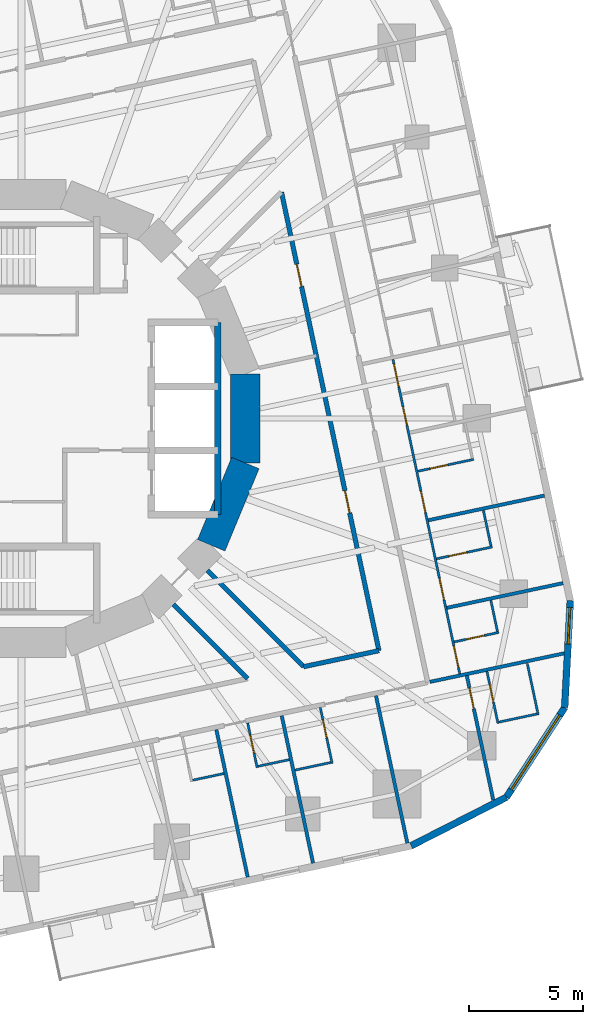
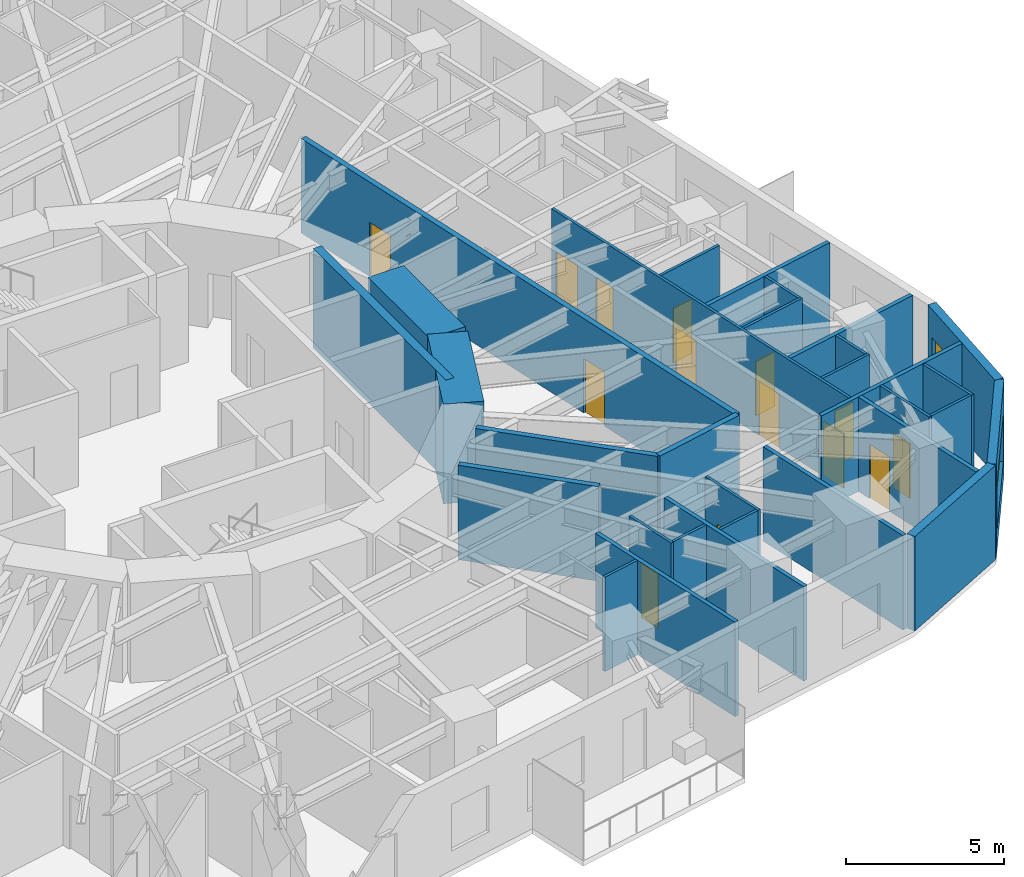
# One storey, part 8 of 14: 31 walls, 14 doors, 2 windows, 16 openings.
"""IFC4 building model written with IfcOpenShell, lengths in metres."""

from ifc_helpers import new_model, si_unit, direction, frame, frame_2d, origin, place, context, subcontext, project, spatial, rectangle, extrude, material, layer, layer_set, type_object, element, fill, save


model = new_model("IFC4")

# Units and contexts
model_context = context("Model", 3, precision=1e-05, world=origin(), true_north=direction((0.0, 1.0)))
body_context = subcontext(model_context, "Body", "Model", "MODEL_VIEW")
ifc_project = project(units=[si_unit("LENGTHUNIT", "METRE"), si_unit("AREAUNIT", "SQUARE_METRE"), si_unit("VOLUMEUNIT", "CUBIC_METRE"), si_unit("PLANEANGLEUNIT", "RADIAN"), si_unit("MASSUNIT", "GRAM", prefix="KILO")], contexts=[model_context])

# Site, building, storey
site_placement = place(None, origin())
site = spatial("IfcSite", under=ifc_project, at=site_placement, CompositionType="ELEMENT")
building_placement = place(site_placement, origin())
building = spatial("IfcBuilding", under=site, at=building_placement, Name="Nakasero Lantern House", CompositionType="ELEMENT")
storey_placement = place(building_placement, frame((0.0, 0.0, 128.10009765625)))
storey = spatial("IfcBuildingStorey", under=building, at=storey_placement, Name="L31", CompositionType="ELEMENT", Elevation=128.10009765625)

# Wall, openings, doors
ifc_material_1 = material(Name="Blockwork", Category="masonry")
ifc_layer_1 = layer(ifc_material_1, 0.10009765625)
ifc_layer_set_1 = layer_set([ifc_layer_1], Name="Cluster hall wall 100")
wall_type_1 = type_object("IfcWallType", Name="Cluster hall wall 100", PredefinedType="PARTITIONING", material=ifc_layer_set_1)
wall_1_placement = place(storey_placement, frame((19.193603515625, -11.1787109375, 0.0), z_axis=(0.0, 0.0, 1.0), x_axis=(-0.207904606415, 0.978149106543, 0.0)))
wall_1 = element("IfcWall", 1, at=wall_1_placement, inside=storey, type_object=wall_type_1, Name="Cluster hall wall L31 HW0-0", PredefinedType="PARTITIONING", context=body_context, shape_type="SweptSolid", body=[
    extrude(rectangle(XDim=14.073974609375, YDim=0.10009765625, at=frame_2d((7.037109375, 0.0))), origin(), (0.0, 0.0, 1.0), 3.64990234375),
])
opening_1_placement = place(wall_1_placement, frame((12.848876953125, 0.0, 0.0)))
opening_1 = element("IfcOpeningElement", 2, at=opening_1_placement, cuts=wall_1, Name="Opening D03", PredefinedType="OPENING", context=body_context, shape_type="SweptSolid", body=[
    extrude(rectangle(XDim=1.0, YDim=2.10009765625, at=frame_2d((0.5, 1.050048828125))), frame((0.0, 0.070068359375, 0.0), z_axis=(0.0, -1.0, 0.0), x_axis=(1.0, 0.0, 0.0)), (0.0, 0.0, 1.0), 0.14013671875),
])
opening_2_placement = place(wall_1_placement, frame((11.155029296875, 0.0, 0.0)))
opening_2 = element("IfcOpeningElement", 3, at=opening_2_placement, cuts=wall_1, Name="Opening D02", PredefinedType="OPENING", context=body_context, shape_type="SweptSolid", body=[
    extrude(rectangle(XDim=0.800048828125, YDim=2.10009765625, at=frame_2d((0.39990234375, 1.050048828125))), frame((0.0, 0.070068359375, 0.0), z_axis=(0.0, -1.0, 0.0), x_axis=(1.0, 0.0, 0.0)), (0.0, 0.0, 1.0), 0.14013671875),
])
opening_3_placement = place(wall_1_placement, frame((0.300048828125, 0.0, 0.0)))
opening_3 = element("IfcOpeningElement", 4, at=opening_3_placement, cuts=wall_1, Name="Opening D01", PredefinedType="OPENING", context=body_context, shape_type="SweptSolid", body=[
    extrude(rectangle(XDim=0.949951171875, YDim=2.10009765625, at=frame_2d((0.47509765625, 1.050048828125))), frame((0.0, 0.070068359375, 0.0), z_axis=(0.0, -1.0, 0.0), x_axis=(1.0, 0.0, 0.0)), (0.0, 0.0, 1.0), 0.14013671875),
])
opening_4_placement = place(wall_1_placement, frame((3.316162109375, 0.0, 0.0)))
opening_4 = element("IfcOpeningElement", 5, at=opening_4_placement, cuts=wall_1, Name="Opening D01", PredefinedType="OPENING", context=body_context, shape_type="SweptSolid", body=[
    extrude(rectangle(XDim=0.949951171875, YDim=2.10009765625, at=frame_2d((0.47509765625, 1.050048828125))), frame((0.0, 0.070068359375, 0.0), z_axis=(0.0, -1.0, 0.0), x_axis=(1.0, 0.0, 0.0)), (0.0, 0.0, 1.0), 0.14013671875),
])
opening_5_placement = place(wall_1_placement, frame((7.235595703125, 0.0, 0.0)))
opening_5 = element("IfcOpeningElement", 6, at=opening_5_placement, cuts=wall_1, Name="Opening D01", PredefinedType="OPENING", context=body_context, shape_type="SweptSolid", body=[
    extrude(rectangle(XDim=0.949951171875, YDim=2.10009765625, at=frame_2d((0.47509765625, 1.050048828125))), frame((0.0, 0.070068359375, 0.0), z_axis=(0.0, -1.0, 0.0), x_axis=(1.0, 0.0, 0.0)), (0.0, 0.0, 1.0), 0.14013671875),
])
ifc_material_2 = material(Name="Timber C24", Category="wood")
door_type_1 = type_object("IfcDoorType", Name="Bedroom door FD30S 950", OperationType="SINGLE_SWING_LEFT", PredefinedType="DOOR", material=ifc_material_2)
door_1_placement = place(opening_3_placement, origin())
door_1 = element("IfcDoor", 7, at=door_1_placement, inside=storey, type_object=door_type_1, Name="Door L31 D0-00", OperationType="SINGLE_SWING_LEFT", OverallHeight=2.10009765625, OverallWidth=0.949951171875, PredefinedType="DOOR", context=body_context, shape_type="SweptSolid", body=[
    extrude(rectangle(XDim=0.949951171875, YDim=2.10009765625, at=frame_2d((0.47509765625, 1.050048828125))), frame((0.0, 0.02490234375, 0.0), z_axis=(0.0, -1.0, 0.0), x_axis=(1.0, 0.0, 0.0)), (0.0, 0.0, 1.0), 0.050048828125),
])
fill(opening_3, door_1)
door_2_placement = place(opening_4_placement, origin())
door_2 = element("IfcDoor", 8, at=door_2_placement, inside=storey, type_object=door_type_1, Name="Door L31 D0-01", OperationType="SINGLE_SWING_LEFT", OverallHeight=2.10009765625, OverallWidth=0.949951171875, PredefinedType="DOOR", context=body_context, shape_type="SweptSolid", body=[
    extrude(rectangle(XDim=0.949951171875, YDim=2.10009765625, at=frame_2d((0.47509765625, 1.050048828125))), frame((0.0, 0.02490234375, 0.0), z_axis=(0.0, -1.0, 0.0), x_axis=(1.0, 0.0, 0.0)), (0.0, 0.0, 1.0), 0.050048828125),
])
fill(opening_4, door_2)
door_3_placement = place(opening_5_placement, origin())
door_3 = element("IfcDoor", 9, at=door_3_placement, inside=storey, type_object=door_type_1, Name="Door L31 D0-02", OperationType="SINGLE_SWING_RIGHT", OverallHeight=2.10009765625, OverallWidth=0.949951171875, PredefinedType="DOOR", context=body_context, shape_type="SweptSolid", body=[
    extrude(rectangle(XDim=0.949951171875, YDim=2.10009765625, at=frame_2d((0.47509765625, 1.050048828125))), frame((0.0, 0.02490234375, 0.0), z_axis=(0.0, -1.0, 0.0), x_axis=(1.0, 0.0, 0.0)), (0.0, 0.0, 1.0), 0.050048828125),
])
fill(opening_5, door_3)
ifc_material_3 = material(Name="Timber C24", Category="wood")
door_type_2 = type_object("IfcDoorType", Name="En-suite door 800", OperationType="SINGLE_SWING_RIGHT", PredefinedType="DOOR", material=ifc_material_3)
door_4_placement = place(opening_2_placement, origin())
door_4 = element("IfcDoor", 10, at=door_4_placement, inside=storey, type_object=door_type_2, Name="Door L31 DSH0-0", OperationType="SINGLE_SWING_RIGHT", OverallHeight=2.10009765625, OverallWidth=0.800048828125, PredefinedType="DOOR", context=body_context, shape_type="SweptSolid", body=[
    extrude(rectangle(XDim=0.800048828125, YDim=2.10009765625, at=frame_2d((0.39990234375, 1.050048828125))), frame((0.0, 0.02490234375, 0.0), z_axis=(0.0, -1.0, 0.0), x_axis=(1.0, 0.0, 0.0)), (0.0, 0.0, 1.0), 0.050048828125),
])
fill(opening_2, door_4)
ifc_material_4 = material(Name="Timber C24", Category="wood")
door_type_3 = type_object("IfcDoorType", Name="Lounge door FD30S 1000", OperationType="SINGLE_SWING_LEFT", PredefinedType="DOOR", material=ifc_material_4)
door_5_placement = place(opening_1_placement, origin())
door_5 = element("IfcDoor", 11, at=door_5_placement, inside=storey, type_object=door_type_3, Name="Door L31 DH0-0", OperationType="SINGLE_SWING_RIGHT", OverallHeight=2.10009765625, OverallWidth=1.0, PredefinedType="DOOR", context=body_context, shape_type="SweptSolid", body=[
    extrude(rectangle(XDim=1.0, YDim=2.10009765625, at=frame_2d((0.5, 1.050048828125))), frame((0.0, 0.02490234375, 0.0), z_axis=(0.0, -1.0, 0.0), x_axis=(1.0, 0.0, 0.0)), (0.0, 0.0, 1.0), 0.050048828125),
])
fill(opening_1, door_5)

# Walls
ifc_material_5 = material(Name="Concrete C50/60", Category="concrete")
ifc_layer_2 = layer(ifc_material_5, 0.300048828125)
ifc_layer_set_2 = layer_set([ifc_layer_2], Name="Core inner wall 300")
wall_type_2 = type_object("IfcWallType", Name="Core inner wall 300", PredefinedType="SHEAR", material=ifc_layer_set_2)
wall_2_placement = place(storey_placement, frame((8.60009765625, -4.199951171875, 0.0), z_axis=(0.0, 0.0, 1.0), x_axis=(0.0, 1.0, 0.0)))
element("IfcWall", 12, at=wall_2_placement, inside=storey, type_object=wall_type_2, Name="Core inner wall L31 LEB", PredefinedType="SHEAR", context=body_context, shape_type="SweptSolid", body=[
    extrude(rectangle(XDim=8.39990234375, YDim=0.300048828125, at=frame_2d((4.199951171875, 0.0))), origin(), (0.0, 0.0, 1.0), 3.849853515625),
])
ifc_material_6 = material(Name="Concrete C50/60", Category="concrete")
ifc_layer_3 = layer(ifc_material_6, 1.300048828125)
ifc_layer_set_3 = layer_set([ifc_layer_3], Name="Core wall 1300")
wall_type_3 = type_object("IfcWallType", Name="Core wall 1300", PredefinedType="SHEAR", material=ifc_layer_set_3)
for number, where, z_axis, x_axis, name in (
    (13, (8.314697265625, -5.5556640625, 0.0), (0.0, 0.0, 1.0), (0.382690736062, 0.923876507187, 0.0), "Core wall L31 facet 15"),
    (14, (9.807861328125, -1.950927734375, 0.0), (0.0, 0.0, 1.0), (0.0, 1.0, 0.0), "Core wall L31 facet 16"),
):
    element("IfcWall", number, at=place(storey_placement, frame(where, z_axis=z_axis, x_axis=x_axis)), inside=storey, type_object=wall_type_3, Name=name, PredefinedType="SHEAR", context=body_context, shape_type="SweptSolid", body=[
        extrude(rectangle(XDim=3.90185546875, YDim=1.300048828125, at=frame_2d((1.950927734375, 0.0))), origin(), (0.0, 0.0, 1.0), 3.849853515625),
    ])

# Wall, openings, doors
ifc_material_7 = material(Name="Blockwork", Category="masonry")
ifc_layer_4 = layer(ifc_material_7, 0.199951171875)
ifc_layer_set_4 = layer_set([ifc_layer_4], Name="Corridor wall 200")
wall_type_4 = type_object("IfcWallType", Name="Corridor wall 200", PredefinedType="PARTITIONING", material=ifc_layer_set_4)
wall_3_placement = place(storey_placement, frame((15.656005859375, -10.1669921875, 0.0), z_axis=(0.0, 0.0, 1.0), x_axis=(-0.207910266073, 0.978147903572, 0.0)))
wall_3 = element("IfcWall", 15, at=wall_3_placement, inside=storey, type_object=wall_type_4, Name="Corridor wall L31 IW0-0", PredefinedType="PARTITIONING", context=body_context, shape_type="SweptSolid", body=[
    extrude(rectangle(XDim=20.520263671875, YDim=0.199951171875, at=frame_2d((10.26025390625, 0.0))), origin(), (0.0, 0.0, 1.0), 3.64990234375),
])
opening_6_placement = place(wall_3_placement, frame((6.16259765625, 0.0, 0.0)))
opening_6 = element("IfcOpeningElement", 16, at=opening_6_placement, cuts=wall_3, Name="Opening D07", PredefinedType="OPENING", context=body_context, shape_type="SweptSolid", body=[
    extrude(rectangle(XDim=1.0, YDim=2.10009765625, at=frame_2d((0.5, 1.050048828125))), frame((0.0, 0.119873046875, 0.0), z_axis=(0.0, -1.0, 0.0), x_axis=(1.0, 0.0, 0.0)), (0.0, 0.0, 1.0), 0.239990234375),
])
opening_7_placement = place(wall_3_placement, frame((16.297607421875, 0.0, 0.0)))
opening_7 = element("IfcOpeningElement", 17, at=opening_7_placement, cuts=wall_3, Name="Opening D07", PredefinedType="OPENING", context=body_context, shape_type="SweptSolid", body=[
    extrude(rectangle(XDim=1.0, YDim=2.10009765625, at=frame_2d((0.5, 1.050048828125))), frame((0.0, 0.119873046875, 0.0), z_axis=(0.0, -1.0, 0.0), x_axis=(1.0, 0.0, 0.0)), (0.0, 0.0, 1.0), 0.239990234375),
])
ifc_material_8 = material(Name="Timber C24", Category="wood")
door_type_4 = type_object("IfcDoorType", Name="Room door FD30S 1000", OperationType="SINGLE_SWING_LEFT", PredefinedType="DOOR", material=ifc_material_8)
door_6_placement = place(opening_6_placement, origin())
door_6 = element("IfcDoor", 18, at=door_6_placement, inside=storey, type_object=door_type_4, Name="Door L31 DI2", OperationType="SINGLE_SWING_LEFT", OverallHeight=2.10009765625, OverallWidth=1.0, PredefinedType="DOOR", context=body_context, shape_type="SweptSolid", body=[
    extrude(rectangle(XDim=1.0, YDim=2.10009765625, at=frame_2d((0.5, 1.050048828125))), frame((0.0, 0.02490234375, 0.0), z_axis=(0.0, -1.0, 0.0), x_axis=(1.0, 0.0, 0.0)), (0.0, 0.0, 1.0), 0.050048828125),
])
fill(opening_6, door_6)
door_7_placement = place(opening_7_placement, origin())
door_7 = element("IfcDoor", 19, at=door_7_placement, inside=storey, type_object=door_type_4, Name="Door L31 DI3", OperationType="SINGLE_SWING_RIGHT", OverallHeight=2.10009765625, OverallWidth=1.0, PredefinedType="DOOR", context=body_context, shape_type="SweptSolid", body=[
    extrude(rectangle(XDim=1.0, YDim=2.10009765625, at=frame_2d((0.5, 1.050048828125))), frame((0.0, 0.02490234375, 0.0), z_axis=(0.0, -1.0, 0.0), x_axis=(1.0, 0.0, 0.0)), (0.0, 0.0, 1.0), 0.050048828125),
])
fill(opening_7, door_7)

# Walls
wall_4_placement = place(storey_placement, frame((12.35400390625, -10.868896484375, 0.0), z_axis=(0.0, 0.0, 1.0), x_axis=(0.978145063506, 0.207923627178, 0.0)))
element("IfcWall", 20, at=wall_4_placement, inside=storey, type_object=wall_type_4, Name="Corridor wall L31 IW3-1", PredefinedType="PARTITIONING", context=body_context, shape_type="SweptSolid", body=[
    extrude(rectangle(XDim=3.375732421875, YDim=0.199951171875, at=frame_2d((1.68798828125, 0.0))), origin(), (0.0, 0.0, 1.0), 3.64990234375),
])
wall_5_placement = place(storey_placement, frame((8.13720703125, -6.65234375, 0.0), z_axis=(0.0, 0.0, 1.0), x_axis=(0.707127251225, -0.707086310555, 0.0)))
element("IfcWall", 21, at=wall_5_placement, inside=storey, type_object=wall_type_4, Name="Corridor wall L31 PS14a", PredefinedType="PARTITIONING", context=body_context, shape_type="SweptSolid", body=[
    extrude(rectangle(XDim=5.96337890625, YDim=0.199951171875, at=frame_2d((2.981689453125, 0.0))), origin(), (0.0, 0.0, 1.0), 3.64990234375),
])
wall_6_placement = place(storey_placement, frame((6.65234375, -8.13720703125, 0.0), z_axis=(0.0, 0.0, 1.0), x_axis=(0.707106781187, -0.707106781187, 0.0)))
element("IfcWall", 22, at=wall_6_placement, inside=storey, type_object=wall_type_4, Name="Corridor wall L31 PS14b", PredefinedType="PARTITIONING", context=body_context, shape_type="SweptSolid", body=[
    extrude(rectangle(XDim=4.599609375, YDim=0.199951171875, at=frame_2d((2.2998046875, 0.0))), origin(), (0.0, 0.0, 1.0), 3.64990234375),
])

# Wall, opening, door
ifc_material_9 = material(Name="Blockwork", Category="masonry")
ifc_layer_5 = layer(ifc_material_9, 0.10009765625)
ifc_layer_set_5 = layer_set([ifc_layer_5], Name="En-suite wall 100")
wall_type_5 = type_object("IfcWallType", Name="En-suite wall 100", PredefinedType="PARTITIONING", material=ifc_layer_set_5)
wall_7_placement = place(storey_placement, frame((18.947998046875, -9.783203125, 0.0), z_axis=(0.0, 0.0, 1.0), x_axis=(0.978128127149, 0.208003285743, 0.0)))
wall_7 = element("IfcWall", 23, at=wall_7_placement, inside=storey, type_object=wall_type_5, Name="En-suite wall L31 ES0-00", PredefinedType="PARTITIONING", context=body_context, shape_type="SweptSolid", body=[
    extrude(rectangle(XDim=2.0, YDim=0.10009765625, at=frame_2d((1.0, 0.0))), origin(), (0.0, 0.0, 1.0), 3.64990234375),
])
opening_8_placement = place(wall_7_placement, frame((0.550048828125, 0.0, 0.0)))
opening_8 = element("IfcOpeningElement", 24, at=opening_8_placement, cuts=wall_7, Name="Opening D02", PredefinedType="OPENING", context=body_context, shape_type="SweptSolid", body=[
    extrude(rectangle(XDim=0.800048828125, YDim=2.10009765625, at=frame_2d((0.39990234375, 1.050048828125))), frame((0.0, 0.070068359375, 0.0), z_axis=(0.0, -1.0, 0.0), x_axis=(1.0, 0.0, 0.0)), (0.0, 0.0, 1.0), 0.14013671875),
])
door_8_placement = place(opening_8_placement, origin())
door_8 = element("IfcDoor", 25, at=door_8_placement, inside=storey, type_object=door_type_2, Name="Door L31 DE0-00", OperationType="SINGLE_SWING_LEFT", OverallHeight=2.10009765625, OverallWidth=0.800048828125, PredefinedType="DOOR", context=body_context, shape_type="SweptSolid", body=[
    extrude(rectangle(XDim=0.800048828125, YDim=2.10009765625, at=frame_2d((0.39990234375, 1.050048828125))), frame((0.0, 0.02490234375, 0.0), z_axis=(0.0, -1.0, 0.0), x_axis=(1.0, 0.0, 0.0)), (0.0, 0.0, 1.0), 0.050048828125),
])
fill(opening_8, door_8)

# Wall
wall_8_placement = place(storey_placement, frame((20.844970703125, -9.328857421875, 0.0), z_axis=(0.0, 0.0, 1.0), x_axis=(-0.207873355681, 0.978155748334, 0.0)))
element("IfcWall", 26, at=wall_8_placement, inside=storey, type_object=wall_type_5, Name="En-suite wall L31 EE0-00", PredefinedType="PARTITIONING", context=body_context, shape_type="SweptSolid", body=[
    extrude(rectangle(XDim=1.39990234375, YDim=0.10009765625, at=frame_2d((0.699951171875, 0.0))), origin(), (0.0, 0.0, 1.0), 3.64990234375),
])

# Wall, opening, door
wall_9_placement = place(storey_placement, frame((18.1748046875, -6.14501953125, 0.0), z_axis=(0.0, 0.0, 1.0), x_axis=(0.978127070851, 0.208008252887, 0.0)))
wall_9 = element("IfcWall", 27, at=wall_9_placement, inside=storey, type_object=wall_type_5, Name="En-suite wall L31 ES0-01", PredefinedType="PARTITIONING", context=body_context, shape_type="SweptSolid", body=[
    extrude(rectangle(XDim=2.5, YDim=0.10009765625, at=frame_2d((1.25, 0.0))), origin(), (0.0, 0.0, 1.0), 3.64990234375),
])
opening_9_placement = place(wall_9_placement, frame((0.550048828125, 0.0, 0.0)))
opening_9 = element("IfcOpeningElement", 28, at=opening_9_placement, cuts=wall_9, Name="Opening D02", PredefinedType="OPENING", context=body_context, shape_type="SweptSolid", body=[
    extrude(rectangle(XDim=0.800048828125, YDim=2.10009765625, at=frame_2d((0.39990234375, 1.050048828125))), frame((0.0, 0.070068359375, 0.0), z_axis=(0.0, -1.0, 0.0), x_axis=(1.0, 0.0, 0.0)), (0.0, 0.0, 1.0), 0.14013671875),
])
door_9_placement = place(opening_9_placement, origin())
door_9 = element("IfcDoor", 29, at=door_9_placement, inside=storey, type_object=door_type_2, Name="Door L31 DE0-01", OperationType="SINGLE_SWING_LEFT", OverallHeight=2.10009765625, OverallWidth=0.800048828125, PredefinedType="DOOR", context=body_context, shape_type="SweptSolid", body=[
    extrude(rectangle(XDim=0.800048828125, YDim=2.10009765625, at=frame_2d((0.39990234375, 1.050048828125))), frame((0.0, 0.02490234375, 0.0), z_axis=(0.0, -1.0, 0.0), x_axis=(1.0, 0.0, 0.0)), (0.0, 0.0, 1.0), 0.050048828125),
])
fill(opening_9, door_9)

# Wall
wall_10_placement = place(storey_placement, frame((20.560791015625, -5.586669921875, 0.0), z_axis=(0.0, 0.0, 1.0), x_axis=(-0.207809485755, 0.97816931951, 0.0)))
element("IfcWall", 30, at=wall_10_placement, inside=storey, type_object=wall_type_5, Name="En-suite wall L31 EE0-01", PredefinedType="PARTITIONING", context=body_context, shape_type="SweptSolid", body=[
    extrude(rectangle(XDim=1.60009765625, YDim=0.10009765625, at=frame_2d((0.800048828125, 0.0))), origin(), (0.0, 0.0, 1.0), 3.64990234375),
])

# Wall, opening, door
wall_11_placement = place(storey_placement, frame((17.35986328125, -2.31103515625, 0.0), z_axis=(0.0, 0.0, 1.0), x_axis=(0.978146935828, 0.207914818928, 0.0)))
wall_11 = element("IfcWall", 31, at=wall_11_placement, inside=storey, type_object=wall_type_5, Name="En-suite wall L31 ES0-02", PredefinedType="PARTITIONING", context=body_context, shape_type="SweptSolid", body=[
    extrude(rectangle(XDim=2.5, YDim=0.10009765625, at=frame_2d((1.25, 0.0))), origin(), (0.0, 0.0, 1.0), 3.64990234375),
])
opening_10_placement = place(wall_11_placement, frame((0.550048828125, 0.0, 0.0)))
opening_10 = element("IfcOpeningElement", 32, at=opening_10_placement, cuts=wall_11, Name="Opening D02", PredefinedType="OPENING", context=body_context, shape_type="SweptSolid", body=[
    extrude(rectangle(XDim=0.800048828125, YDim=2.10009765625, at=frame_2d((0.39990234375, 1.050048828125))), frame((0.0, 0.070068359375, 0.0), z_axis=(0.0, -1.0, 0.0), x_axis=(1.0, 0.0, 0.0)), (0.0, 0.0, 1.0), 0.14013671875),
])
door_10_placement = place(opening_10_placement, origin())
door_10 = element("IfcDoor", 33, at=door_10_placement, inside=storey, type_object=door_type_2, Name="Door L31 DE0-02", OperationType="SINGLE_SWING_LEFT", OverallHeight=2.10009765625, OverallWidth=0.800048828125, PredefinedType="DOOR", context=body_context, shape_type="SweptSolid", body=[
    extrude(rectangle(XDim=0.800048828125, YDim=2.10009765625, at=frame_2d((0.39990234375, 1.050048828125))), frame((0.0, 0.02490234375, 0.0), z_axis=(0.0, -1.0, 0.0), x_axis=(1.0, 0.0, 0.0)), (0.0, 0.0, 1.0), 0.050048828125),
])
fill(opening_10, door_10)

# Wall
wall_12_placement = place(storey_placement, frame((7.50048828125, -15.836669921875, 0.0), z_axis=(0.0, 0.0, 1.0), x_axis=(0.978155748334, 0.207873355681, 0.0)))
element("IfcWall", 34, at=wall_12_placement, inside=storey, type_object=wall_type_5, Name="En-suite wall L31 EE3-05", PredefinedType="PARTITIONING", context=body_context, shape_type="SweptSolid", body=[
    extrude(rectangle(XDim=1.39990234375, YDim=0.10009765625, at=frame_2d((0.699951171875, 0.0))), origin(), (0.0, 0.0, 1.0), 3.64990234375),
])

# Wall, opening, door
wall_13_placement = place(storey_placement, frame((9.908447265625, -13.331298828125, 0.0), z_axis=(0.0, 0.0, 1.0), x_axis=(0.208003285743, -0.978128127149, 0.0)))
wall_13 = element("IfcWall", 35, at=wall_13_placement, inside=storey, type_object=wall_type_5, Name="En-suite wall L31 ES3-06", PredefinedType="PARTITIONING", context=body_context, shape_type="SweptSolid", body=[
    extrude(rectangle(XDim=2.0, YDim=0.10009765625, at=frame_2d((1.0, 0.0))), origin(), (0.0, 0.0, 1.0), 3.64990234375),
])
opening_11_placement = place(wall_13_placement, frame((0.550048828125, 0.0, 0.0)))
opening_11 = element("IfcOpeningElement", 36, at=opening_11_placement, cuts=wall_13, Name="Opening D02", PredefinedType="OPENING", context=body_context, shape_type="SweptSolid", body=[
    extrude(rectangle(XDim=0.800048828125, YDim=2.10009765625, at=frame_2d((0.39990234375, 1.050048828125))), frame((0.0, 0.070068359375, 0.0), z_axis=(0.0, -1.0, 0.0), x_axis=(1.0, 0.0, 0.0)), (0.0, 0.0, 1.0), 0.14013671875),
])
door_11_placement = place(opening_11_placement, origin())
door_11 = element("IfcDoor", 37, at=door_11_placement, inside=storey, type_object=door_type_2, Name="Door L31 DE3-06", OperationType="SINGLE_SWING_LEFT", OverallHeight=2.10009765625, OverallWidth=0.800048828125, PredefinedType="DOOR", context=body_context, shape_type="SweptSolid", body=[
    extrude(rectangle(XDim=0.800048828125, YDim=2.10009765625, at=frame_2d((0.39990234375, 1.050048828125))), frame((0.0, 0.02490234375, 0.0), z_axis=(0.0, -1.0, 0.0), x_axis=(1.0, 0.0, 0.0)), (0.0, 0.0, 1.0), 0.050048828125),
])
fill(opening_11, door_11)

# Wall
wall_14_placement = place(storey_placement, frame((10.36279296875, -15.228271484375, 0.0), z_axis=(0.0, 0.0, 1.0), x_axis=(0.978155748334, 0.207873355681, 0.0)))
element("IfcWall", 38, at=wall_14_placement, inside=storey, type_object=wall_type_5, Name="En-suite wall L31 EE3-06", PredefinedType="PARTITIONING", context=body_context, shape_type="SweptSolid", body=[
    extrude(rectangle(XDim=1.39990234375, YDim=0.10009765625, at=frame_2d((0.699951171875, 0.0))), origin(), (0.0, 0.0, 1.0), 3.64990234375),
])

# Wall, opening, door
wall_15_placement = place(storey_placement, frame((13.08740234375, -12.655517578125, 0.0), z_axis=(0.0, 0.0, 1.0), x_axis=(0.207914818928, -0.978146935828, 0.0)))
wall_15 = element("IfcWall", 39, at=wall_15_placement, inside=storey, type_object=wall_type_5, Name="En-suite wall L31 ES3-07", PredefinedType="PARTITIONING", context=body_context, shape_type="SweptSolid", body=[
    extrude(rectangle(XDim=2.5, YDim=0.10009765625, at=frame_2d((1.25, 0.0))), origin(), (0.0, 0.0, 1.0), 3.64990234375),
])
opening_12_placement = place(wall_15_placement, frame((0.550048828125, 0.0, 0.0)))
opening_12 = element("IfcOpeningElement", 40, at=opening_12_placement, cuts=wall_15, Name="Opening D02", PredefinedType="OPENING", context=body_context, shape_type="SweptSolid", body=[
    extrude(rectangle(XDim=0.800048828125, YDim=2.10009765625, at=frame_2d((0.39990234375, 1.050048828125))), frame((0.0, 0.070068359375, 0.0), z_axis=(0.0, -1.0, 0.0), x_axis=(1.0, 0.0, 0.0)), (0.0, 0.0, 1.0), 0.14013671875),
])
door_12_placement = place(opening_12_placement, origin())
door_12 = element("IfcDoor", 41, at=door_12_placement, inside=storey, type_object=door_type_2, Name="Door L31 DE3-07", OperationType="SINGLE_SWING_LEFT", OverallHeight=2.10009765625, OverallWidth=0.800048828125, PredefinedType="DOOR", context=body_context, shape_type="SweptSolid", body=[
    extrude(rectangle(XDim=0.800048828125, YDim=2.10009765625, at=frame_2d((0.39990234375, 1.050048828125))), frame((0.0, 0.02490234375, 0.0), z_axis=(0.0, -1.0, 0.0), x_axis=(1.0, 0.0, 0.0)), (0.0, 0.0, 1.0), 0.050048828125),
])
fill(opening_12, door_12)

# Wall
wall_16_placement = place(storey_placement, frame((11.98291015625, -15.39501953125, 0.0), z_axis=(0.0, 0.0, 1.0), x_axis=(0.978138294895, 0.207955466533, 0.0)))
element("IfcWall", 42, at=wall_16_placement, inside=storey, type_object=wall_type_5, Name="En-suite wall L31 EE3-07", PredefinedType="PARTITIONING", context=body_context, shape_type="SweptSolid", body=[
    extrude(rectangle(XDim=1.60009765625, YDim=0.10009765625, at=frame_2d((0.800048828125, 0.0))), origin(), (0.0, 0.0, 1.0), 3.64990234375),
])

# Wall, opening, door
wall_17_placement = place(storey_placement, frame((20.382568359375, -11.069091796875, 0.0), z_axis=(0.0, 0.0, 1.0), x_axis=(0.207965047255, -0.978136257952, 0.0)))
wall_17 = element("IfcWall", 43, at=wall_17_placement, inside=storey, type_object=wall_type_5, Name="En-suite wall L31 ES3-08", PredefinedType="PARTITIONING", context=body_context, shape_type="SweptSolid", body=[
    extrude(rectangle(XDim=2.3349609375, YDim=0.10009765625, at=frame_2d((1.16748046875, 0.0))), origin(), (0.0, 0.0, 1.0), 3.64990234375),
])
opening_13_placement = place(wall_17_placement, frame((0.5849609375, 0.0, 0.0)))
opening_13 = element("IfcOpeningElement", 44, at=opening_13_placement, cuts=wall_17, Name="Opening D02", PredefinedType="OPENING", context=body_context, shape_type="SweptSolid", body=[
    extrude(rectangle(XDim=0.800048828125, YDim=2.10009765625, at=frame_2d((0.39990234375, 1.050048828125))), frame((0.0, 0.070068359375, 0.0), z_axis=(0.0, -1.0, 0.0), x_axis=(1.0, 0.0, 0.0)), (0.0, 0.0, 1.0), 0.14013671875),
])
door_13_placement = place(opening_13_placement, origin())
door_13 = element("IfcDoor", 45, at=door_13_placement, inside=storey, type_object=door_type_2, Name="Door L31 DE3-08", OperationType="SINGLE_SWING_LEFT", OverallHeight=2.10009765625, OverallWidth=0.800048828125, PredefinedType="DOOR", context=body_context, shape_type="SweptSolid", body=[
    extrude(rectangle(XDim=0.800048828125, YDim=2.10009765625, at=frame_2d((0.39990234375, 1.050048828125))), frame((0.0, 0.02490234375, 0.0), z_axis=(0.0, -1.0, 0.0), x_axis=(1.0, 0.0, 0.0)), (0.0, 0.0, 1.0), 0.050048828125),
])
fill(opening_13, door_13)

# Walls
wall_18_placement = place(storey_placement, frame((20.906494140625, -13.293701171875, 0.0), z_axis=(0.0, 0.0, 1.0), x_axis=(0.978168704767, 0.207812379357, 0.0)))
element("IfcWall", 46, at=wall_18_placement, inside=storey, type_object=wall_type_5, Name="En-suite wall L31 EE3-08", PredefinedType="PARTITIONING", context=body_context, shape_type="SweptSolid", body=[
    extrude(rectangle(XDim=1.699951171875, YDim=0.10009765625, at=frame_2d((0.85009765625, 0.0))), origin(), (0.0, 0.0, 1.0), 3.64990234375),
])
wall_19_placement = place(storey_placement, frame((22.150634765625, -10.72900390625, 0.0), z_axis=(0.0, 0.0, 1.0), x_axis=(0.207839712757, -0.978162897375, 0.0)))
element("IfcWall", 47, at=wall_19_placement, inside=storey, type_object=wall_type_5, Name="En-suite wall L31 EV3-08", PredefinedType="PARTITIONING", context=body_context, shape_type="SweptSolid", body=[
    extrude(rectangle(XDim=2.300048828125, YDim=0.10009765625, at=frame_2d((1.14990234375, 0.0))), origin(), (0.0, 0.0, 1.0), 3.64990234375),
])
ifc_material_10 = material(Name="Aluminium rainscreen on blockwork", Category="masonry")
ifc_layer_6 = layer(ifc_material_10, 0.300048828125)
ifc_layer_set_6 = layer_set([ifc_layer_6], Name="Facade wall 300")
wall_type_6 = type_object("IfcWallType", Name="Facade wall 300", PredefinedType="SOLIDWALL", material=ifc_layer_set_6)
wall_20_placement = place(storey_placement, frame((17.063232421875, -18.711181640625, 0.0), z_axis=(0.0, 0.0, 1.0), x_axis=(0.89101404178, 0.453975745332, 0.0)))
element("IfcWall", 48, at=wall_20_placement, inside=storey, type_object=wall_type_6, Name="Facade wall L31 FW3C1", PredefinedType="SOLIDWALL", context=body_context, shape_type="SweptSolid", body=[
    extrude(rectangle(XDim=4.6845703125, YDim=0.300048828125, at=frame_2d((2.34228515625, 0.0))), origin(), (0.0, 0.0, 1.0), 3.64990234375),
])

# Wall, opening, window
wall_21_placement = place(storey_placement, frame((21.2373046875, -16.58447265625, 0.0), z_axis=(0.0, 0.0, 1.0), x_axis=(0.544605442853, 0.838692381994, 0.0)))
wall_21 = element("IfcWall", 49, at=wall_21_placement, inside=storey, type_object=wall_type_6, Name="Facade wall L31 FW3C2", PredefinedType="SOLIDWALL", context=body_context, shape_type="SweptSolid", body=[
    extrude(rectangle(XDim=4.6845703125, YDim=0.300048828125, at=frame_2d((2.34228515625, 0.0))), origin(), (0.0, 0.0, 1.0), 3.64990234375),
])
opening_14_placement = place(wall_21_placement, frame((0.39990234375, 0.0, 0.75)))
opening_14 = element("IfcOpeningElement", 50, at=opening_14_placement, cuts=wall_21, Name="Opening W238", PredefinedType="OPENING", context=body_context, shape_type="SweptSolid", body=[
    extrude(rectangle(XDim=3.885009765625, YDim=1.800048828125, at=frame_2d((1.9423828125, 0.89990234375))), frame((0.0, 0.169921875, 0.0), z_axis=(0.0, -1.0, 0.0), x_axis=(1.0, 0.0, 0.0)), (0.0, 0.0, 1.0), 0.340087890625),
])
ifc_material_11 = material(Name="Aluminium 6063-T6 and glass", Category="aluminium")
window_type_1 = type_object("IfcWindowType", Name="Corner window 3885x1800", PartitioningType="SINGLE_PANEL", PredefinedType="WINDOW", material=ifc_material_11)
window_1_placement = place(opening_14_placement, origin())
window_1 = element("IfcWindow", 51, at=window_1_placement, inside=storey, type_object=window_type_1, Name="Window L31 WC3", OverallHeight=1.800048828125, OverallWidth=3.885009765625, PartitioningType="SINGLE_PANEL", PredefinedType="WINDOW", context=body_context, shape_type="SweptSolid", body=[
    extrude(rectangle(XDim=3.885009765625, YDim=1.800048828125, at=frame_2d((1.9423828125, 0.89990234375))), frame((0.0, 0.030029296875, 0.0), z_axis=(0.0, -1.0, 0.0), x_axis=(1.0, 0.0, 0.0)), (0.0, 0.0, 1.0), 0.06005859375),
])
fill(opening_14, window_1)

wall_22_placement = place(storey_placement, frame((23.78857421875, -12.655517578125, 0.0), z_axis=(0.0, 0.0, 1.0), x_axis=(0.052326317, 0.998630039879, 0.0)))
wall_22 = element("IfcWall", 52, at=wall_22_placement, inside=storey, type_object=wall_type_6, Name="Facade wall L31 FW3C3", PredefinedType="SOLIDWALL", context=body_context, shape_type="SweptSolid", body=[
    extrude(rectangle(XDim=4.684326171875, YDim=0.300048828125, at=frame_2d((2.34228515625, 0.0))), origin(), (0.0, 0.0, 1.0), 3.64990234375),
])
opening_15_placement = place(wall_22_placement, frame((2.784912109375, 0.0, 0.75)))
opening_15 = element("IfcOpeningElement", 53, at=opening_15_placement, cuts=wall_22, Name="Opening W01", PredefinedType="OPENING", context=body_context, shape_type="SweptSolid", body=[
    extrude(rectangle(XDim=1.60009765625, YDim=1.800048828125, at=frame_2d((0.800048828125, 0.89990234375))), frame((0.0, 0.169921875, 0.0), z_axis=(0.0, -1.0, 0.0), x_axis=(1.0, 0.0, 0.0)), (0.0, 0.0, 1.0), 0.340087890625),
])
ifc_material_12 = material(Name="Aluminium 6063-T6 and glass", Category="aluminium")
window_type_2 = type_object("IfcWindowType", Name="Bedroom window 1600x1800", PartitioningType="SINGLE_PANEL", PredefinedType="WINDOW", material=ifc_material_12)
window_2_placement = place(opening_15_placement, origin())
window_2 = element("IfcWindow", 54, at=window_2_placement, inside=storey, type_object=window_type_2, Name="Window L31 WN0-00", OverallHeight=1.800048828125, OverallWidth=1.60009765625, PartitioningType="SINGLE_PANEL", PredefinedType="WINDOW", context=body_context, shape_type="SweptSolid", body=[
    extrude(rectangle(XDim=1.60009765625, YDim=1.800048828125, at=frame_2d((0.800048828125, 0.89990234375))), frame((0.0, 0.030029296875, 0.0), z_axis=(0.0, -1.0, 0.0), x_axis=(1.0, 0.0, 0.0)), (0.0, 0.0, 1.0), 0.06005859375),
])
fill(opening_15, window_2)

# Walls
ifc_material_13 = material(Name="Blockwork", Category="masonry")
ifc_layer_7 = layer(ifc_material_13, 0.14990234375)
ifc_layer_set_7 = layer_set([ifc_layer_7], Name="Party wall 150")
wall_type_7 = type_object("IfcWallType", Name="Party wall 150", PredefinedType="PARTITIONING", material=ifc_layer_set_7)
wall_23_placement = place(storey_placement, frame((17.888671875, -11.53271484375, 0.0), z_axis=(0.0, 0.0, 1.0), x_axis=(0.978152955943, 0.207886494942, 0.0)))
element("IfcWall", 55, at=wall_23_placement, inside=storey, type_object=wall_type_7, Name="Party wall L31 PW0-00", PredefinedType="PARTITIONING", context=body_context, shape_type="SweptSolid", body=[
    extrude(rectangle(XDim=6.0, YDim=0.14990234375, at=frame_2d((3.0, 0.0))), origin(), (0.0, 0.0, 1.0), 3.64990234375),
])
for number, where, z_axis, x_axis, name in (
    (56, (18.631103515625, -8.29150390625, 0.0), (0.0, 0.0, 1.0), (0.978139873931, 0.207948039247, 0.0), "Party wall L31 PW0-01"),
    (57, (17.816162109375, -4.45751953125, 0.0), (0.0, 0.0, 1.0), (0.978151452323, 0.207893569688, 0.0), "Party wall L31 PW0-02"),
):
    element("IfcWall", number, at=place(storey_placement, frame(where, z_axis=z_axis, x_axis=x_axis)), inside=storey, type_object=wall_type_7, Name=name, PredefinedType="PARTITIONING", context=body_context, shape_type="SweptSolid", body=[
        extrude(rectangle(XDim=5.199951171875, YDim=0.14990234375, at=frame_2d((2.60009765625, 0.0))), origin(), (0.0, 0.0, 1.0), 3.64990234375),
    ])
for number, where, z_axis, x_axis, name in (
    (58, (8.537841796875, -13.62255859375, 0.0), (0.0, 0.0, 1.0), (0.207889281984, -0.97815236361, 0.0), "Party wall L31 PW3-06"),
    (59, (11.400146484375, -13.01416015625, 0.0), (0.0, 0.0, 1.0), (0.207924673876, -0.978144841009, 0.0), "Party wall L31 PW3-07"),
    (60, (15.526123046875, -12.13720703125, 0.0), (0.0, 0.0, 1.0), (0.207924673876, -0.978144841009, 0.0), "Party wall L31 PW3-08"),
):
    element("IfcWall", number, at=place(storey_placement, frame(where, z_axis=z_axis, x_axis=x_axis)), inside=storey, type_object=wall_type_7, Name=name, PredefinedType="PARTITIONING", context=body_context, shape_type="SweptSolid", body=[
        extrude(rectangle(XDim=6.60009765625, YDim=0.14990234375, at=frame_2d((3.300048828125, 0.0))), origin(), (0.0, 0.0, 1.0), 3.64990234375),
    ])

# Wall, opening, door
wall_24_placement = place(storey_placement, frame((19.502197265625, -11.256103515625, 0.0), z_axis=(0.0, 0.0, 1.0), x_axis=(0.207936339891, -0.978142361087, 0.0)))
wall_24 = element("IfcWall", 61, at=wall_24_placement, inside=storey, type_object=wall_type_7, Name="Party wall L31 PC3", PredefinedType="PARTITIONING", context=body_context, shape_type="SweptSolid", body=[
    extrude(rectangle(XDim=5.570068359375, YDim=0.14990234375, at=frame_2d((2.78515625, 0.0))), origin(), (0.0, 0.0, 1.0), 3.64990234375),
])
opening_16_placement = place(wall_24_placement, frame((0.534912109375, 0.0, 0.0)))
opening_16 = element("IfcOpeningElement", 62, at=opening_16_placement, cuts=wall_24, Name="Opening D01", PredefinedType="OPENING", context=body_context, shape_type="SweptSolid", body=[
    extrude(rectangle(XDim=0.949951171875, YDim=2.10009765625, at=frame_2d((0.47509765625, 1.050048828125))), frame((0.0, 0.094970703125, 0.0), z_axis=(0.0, -1.0, 0.0), x_axis=(1.0, 0.0, 0.0)), (0.0, 0.0, 1.0), 0.18994140625),
])
door_14_placement = place(opening_16_placement, origin())
door_14 = element("IfcDoor", 63, at=door_14_placement, inside=storey, type_object=door_type_1, Name="Door L31 DC3", OperationType="SINGLE_SWING_LEFT", OverallHeight=2.10009765625, OverallWidth=0.949951171875, PredefinedType="DOOR", context=body_context, shape_type="SweptSolid", body=[
    extrude(rectangle(XDim=0.949951171875, YDim=2.10009765625, at=frame_2d((0.47509765625, 1.050048828125))), frame((0.0, 0.02490234375, 0.0), z_axis=(0.0, -1.0, 0.0), x_axis=(1.0, 0.0, 0.0)), (0.0, 0.0, 1.0), 0.050048828125),
])
fill(opening_16, door_14)

save(model, "model.ifc")
